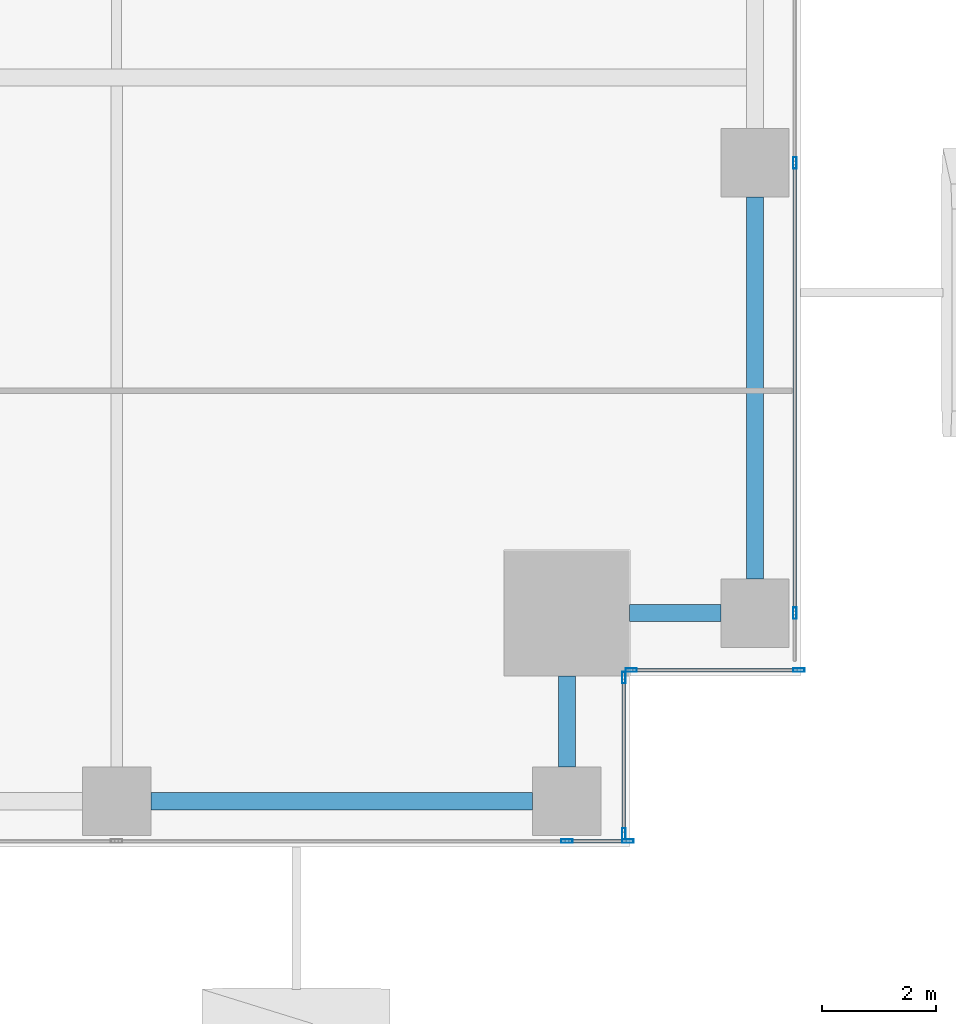
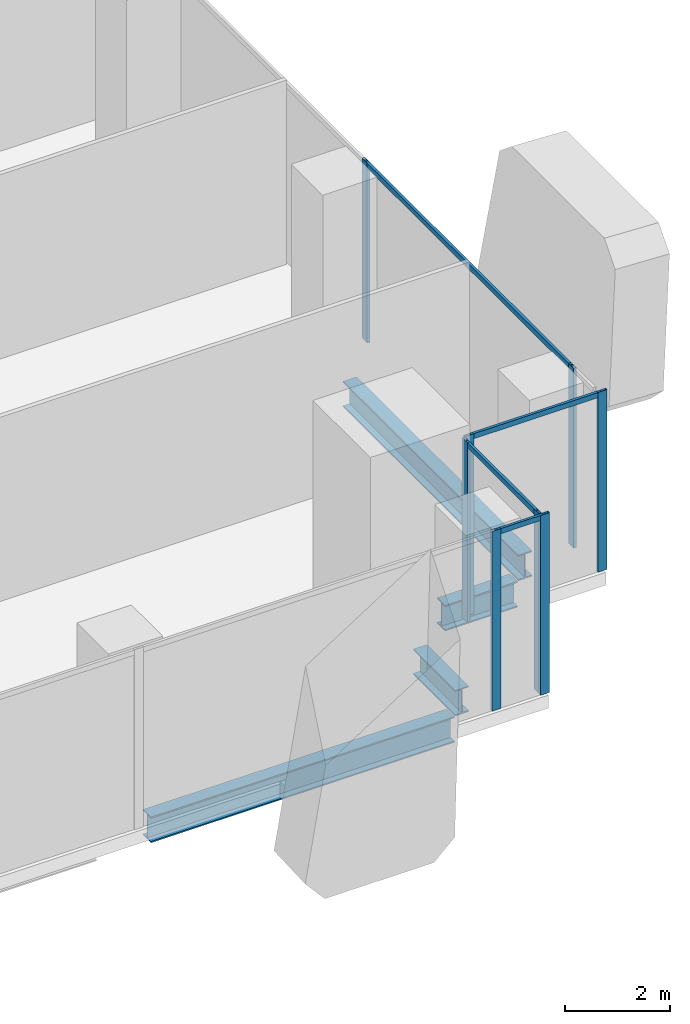
# One storey, part 9 of 35: 12 members, 4 beams, 4 elements without a shape of their own.
"""IFC4 building model written with IfcOpenShell, lengths in metres."""

from ifc_helpers import new_model, si_unit, direction, frame, origin, origin_2d, place, context, subcontext, project, spatial, hollow_rectangle, i_section, extrude, source, transform, mapped, material, material_profile, profile_set, type_object, element, aggregate, save


model = new_model("IFC4")

# Units and contexts
model_context = context("Model", 3, precision=1e-05, world=origin(), true_north=direction((0.0, 1.0)))
body_context = subcontext(model_context, "Body", "Model", "MODEL_VIEW")
ifc_project = project(units=[si_unit("LENGTHUNIT", "METRE"), si_unit("AREAUNIT", "SQUARE_METRE"), si_unit("VOLUMEUNIT", "CUBIC_METRE"), si_unit("PLANEANGLEUNIT", "RADIAN"), si_unit("MASSUNIT", "GRAM", prefix="KILO")], contexts=[model_context])

# Site, building, storey
site_placement = place(None, origin())
site = spatial("IfcSite", under=ifc_project, at=site_placement, CompositionType="ELEMENT")
building_placement = place(site_placement, origin())
building = spatial("IfcBuilding", under=site, at=building_placement, Name="Khomas Fold Tower", CompositionType="ELEMENT")
storey_placement = place(building_placement, frame((0.0, 0.0, 69.0)))
storey = spatial("IfcBuildingStorey", under=building, at=storey_placement, Name="L14", CompositionType="ELEMENT", Elevation=69.0)

# Beams
ifc_material_1 = material(Name="Steel S355", Category="steel")
ifc_material_profile_1 = material_profile(ifc_material_1, i_section(OverallWidth=0.300048828125, OverallDepth=0.60009765625, WebThickness=0.015380859375, FlangeThickness=0.030029296875, at=origin_2d()), Name="HE 600 B")
ifc_profile_set_1 = profile_set([ifc_material_profile_1], Name="Steel S355")
beam_type = type_object("IfcBeamType", Name="HE 600 B spandrel SB1", PredefinedType="SPANDREL", material=ifc_profile_set_1)
shared_shape_1 = source(origin(), body_context, "Body", "SweptSolid", [
    extrude(i_section(OverallWidth=0.300048828125, OverallDepth=0.60009765625, WebThickness=0.015380859375, FlangeThickness=0.030029296875, at=origin_2d()), origin(), (0.0, 0.0, 1.0), 6.699951171875),
])
for number, where, z_axis, x_axis, name in (
    (1, (42.60009765625, 0.800048828125, -0.60009765625), (1.0, 0.0, 0.0), (0.0, 1.0, 0.0), "SB1"),
    (2, (53.199951171875, 4.699951171875, -0.60009765625), (0.0, 1.0, 0.0), (-1.0, 0.0, 0.0), "SB1"),
):
    element("IfcBeam", number, at=place(storey_placement, frame(where, z_axis=z_axis, x_axis=x_axis)), inside=storey, type_object=beam_type, Name=name, PredefinedType="SPANDREL", context=body_context, shape_type="MappedRepresentation", body=[
        mapped(shared_shape_1, transform((0.0, 0.0, 0.0))),
    ])
shared_shape_2 = source(origin(), body_context, "Body", "SweptSolid", [
    extrude(i_section(OverallWidth=0.300048828125, OverallDepth=0.60009765625, WebThickness=0.015380859375, FlangeThickness=0.030029296875, at=origin_2d()), origin(), (0.0, 0.0, 1.0), 1.60009765625),
])
for number, where, z_axis, x_axis, name in (
    (3, (49.89990234375, 1.39990234375, -0.60009765625), (0.0, 1.0, 0.0), (-1.0, 0.0, 0.0), "SB1"),
    (4, (51.0, 4.10009765625, -0.60009765625), (1.0, 0.0, 0.0), (0.0, 1.0, 0.0), "SB1"),
):
    element("IfcBeam", number, at=place(storey_placement, frame(where, z_axis=z_axis, x_axis=x_axis)), inside=storey, type_object=beam_type, Name=name, PredefinedType="SPANDREL", context=body_context, shape_type="MappedRepresentation", body=[
        mapped(shared_shape_2, transform((0.0, 0.0, 0.0))),
    ])

# Curtain wall, member
ifc_material_2 = material(Name="Aluminium framed double glazing", Category="aluminium")
curtain_wall_type = type_object("IfcCurtainWallType", Name="SK-Unitised clear-glass wall, growing floors CW1", PredefinedType="NOTDEFINED", material=ifc_material_2)
curtain_wall_1_placement = place(storey_placement, origin())
curtain_wall_1 = element("IfcCurtainWall", 5, at=curtain_wall_1_placement, inside=storey, type_object=curtain_wall_type, Name="CW1 run L14 03-0", PredefinedType="NOTDEFINED")
ifc_material_3 = material(Name="Aluminium", Category="aluminium")
ifc_material_profile_2 = material_profile(ifc_material_3, hollow_rectangle(XDim=0.06005859375, YDim=0.1201171875, WallThickness=0.00390625, at=origin_2d()), Name="SK-Unitised clear-glass wall, growing floors transom CW1-T")
ifc_profile_set_2 = profile_set([ifc_material_profile_2], Name="Aluminium")
member_type_1 = type_object("IfcMemberType", Name="SK-Unitised clear-glass wall, growing floors transom CW1-T", PredefinedType="USERDEFINED", material=ifc_profile_set_2)
shared_shape_3 = source(origin(), body_context, "Body", "SweptSolid", [
    extrude(hollow_rectangle(XDim=0.06005859375, YDim=0.1201171875, WallThickness=0.00390625, at=origin_2d()), origin(), (0.0, 0.0, 1.0), 7.840087890625),
])
member_1_placement = place(storey_placement, frame((53.89990234375, 4.1298828125, 4.139892578125), z_axis=(0.0, 1.0, 0.0), x_axis=(-1.0, 0.0, 0.0)))
member_1 = element("IfcMember", 6, at=member_1_placement, type_object=member_type_1, Name="CW1 transom 2", ObjectType="TRANSOM", PredefinedType="USERDEFINED", context=body_context, shape_type="MappedRepresentation", body=[
    mapped(shared_shape_3, transform((0.0, 0.0, 0.0))),
])

curtain_wall_2_placement = place(storey_placement, origin())
curtain_wall_2 = element("IfcCurtainWall", 7, at=curtain_wall_2_placement, inside=storey, type_object=curtain_wall_type, Name="CW1 run L14 00-0", PredefinedType="NOTDEFINED")
shared_shape_4 = source(origin(), body_context, "Body", "SweptSolid", [
    extrude(hollow_rectangle(XDim=0.06005859375, YDim=0.1201171875, WallThickness=0.00390625, at=origin_2d()), origin(), (0.0, 0.0, 1.0), 1.010009765625),
])
member_2_placement = place(storey_placement, frame((49.929931640625, 0.10009765625, 4.139892578125), z_axis=(1.0, 0.0, 0.0), x_axis=(0.0, 1.0, 0.0)))
member_2 = element("IfcMember", 8, at=member_2_placement, type_object=member_type_1, Name="CW1 transom 8", ObjectType="TRANSOM", PredefinedType="USERDEFINED", context=body_context, shape_type="MappedRepresentation", body=[
    mapped(shared_shape_4, transform((0.0, 0.0, 0.0))),
])

curtain_wall_3_placement = place(storey_placement, origin())
curtain_wall_3 = element("IfcCurtainWall", 9, at=curtain_wall_3_placement, inside=storey, type_object=curtain_wall_type, Name="CW1 corner return L14 01", PredefinedType="NOTDEFINED")
shared_shape_5 = source(origin(), body_context, "Body", "SweptSolid", [
    extrude(hollow_rectangle(XDim=0.06005859375, YDim=0.1201171875, WallThickness=0.00390625, at=origin_2d()), origin(), (0.0, 0.0, 1.0), 2.679931640625),
])
member_3_placement = place(storey_placement, frame((50.89990234375, 0.260009765625, 4.139892578125), z_axis=(0.0, 1.0, 0.0), x_axis=(-1.0, 0.0, 0.0)))
member_3 = element("IfcMember", 10, at=member_3_placement, type_object=member_type_1, Name="CW1 transom 1", ObjectType="TRANSOM", PredefinedType="USERDEFINED", context=body_context, shape_type="MappedRepresentation", body=[
    mapped(shared_shape_5, transform((0.0, 0.0, 0.0))),
])

curtain_wall_4_placement = place(storey_placement, origin())
curtain_wall_4 = element("IfcCurtainWall", 11, at=curtain_wall_4_placement, inside=storey, type_object=curtain_wall_type, Name="CW1 corner return L14 02", PredefinedType="NOTDEFINED")
shared_shape_6 = source(origin(), body_context, "Body", "SweptSolid", [
    extrude(hollow_rectangle(XDim=0.06005859375, YDim=0.1201171875, WallThickness=0.00390625, at=origin_2d()), origin(), (0.0, 0.0, 1.0), 2.8798828125),
])
member_4_placement = place(storey_placement, frame((51.06005859375, 3.10009765625, 4.139892578125), z_axis=(1.0, 0.0, 0.0), x_axis=(0.0, 1.0, 0.0)))
member_4 = element("IfcMember", 12, at=member_4_placement, type_object=member_type_1, Name="CW1 transom 1", ObjectType="TRANSOM", PredefinedType="USERDEFINED", context=body_context, shape_type="MappedRepresentation", body=[
    mapped(shared_shape_6, transform((0.0, 0.0, 0.0))),
])

# Member
ifc_material_4 = material(Name="Aluminium", Category="aluminium")
ifc_material_profile_3 = material_profile(ifc_material_4, hollow_rectangle(XDim=0.06005859375, YDim=0.199951171875, WallThickness=0.00390625, at=origin_2d()), Name="SK-Unitised clear-glass wall, growing floors mullion CW1-M")
ifc_profile_set_3 = profile_set([ifc_material_profile_3], Name="Aluminium")
member_type_2 = type_object("IfcMemberType", Name="SK-Unitised clear-glass wall, growing floors mullion CW1-M", PredefinedType="MULLION", material=ifc_profile_set_3)
shared_shape_7 = source(origin(), body_context, "Body", "SweptSolid", [
    extrude(hollow_rectangle(XDim=0.06005859375, YDim=0.199951171875, WallThickness=0.00390625, at=origin_2d()), origin(), (0.0, 0.0, 1.0), 4.199951171875),
])
member_5_placement = place(storey_placement, frame((49.89990234375, 0.10009765625, 0.0), z_axis=(0.0, 0.0, 1.0), x_axis=(0.0, 1.0, 0.0)))
member_5 = element("IfcMember", 13, at=member_5_placement, type_object=member_type_2, Name="CW1 mullion 8", PredefinedType="MULLION", context=body_context, shape_type="MappedRepresentation", body=[
    mapped(shared_shape_7, transform((0.0, 0.0, 0.0))),
])

member_6_placement = place(storey_placement, frame((50.969970703125, 0.10009765625, 0.0), z_axis=(0.0, 0.0, 1.0), x_axis=(0.0, 1.0, 0.0)))
member_6 = element("IfcMember", 14, at=member_6_placement, type_object=member_type_2, Name="CW1 mullion 9", PredefinedType="MULLION", context=body_context, shape_type="MappedRepresentation", body=[
    mapped(shared_shape_7, transform((0.0, 0.0, 0.0))),
])

aggregate(curtain_wall_2, [member_5, member_6, member_2])

member_7_placement = place(storey_placement, frame((50.89990234375, 0.22998046875, 0.0), z_axis=(0.0, 0.0, 1.0), x_axis=(-1.0, 0.0, 0.0)))
member_7 = element("IfcMember", 15, at=member_7_placement, type_object=member_type_2, Name="CW1 mullion 1", PredefinedType="MULLION", context=body_context, shape_type="MappedRepresentation", body=[
    mapped(shared_shape_7, transform((0.0, 0.0, 0.0))),
])

member_8_placement = place(storey_placement, frame((50.89990234375, 2.969970703125, 0.0), z_axis=(0.0, 0.0, 1.0), x_axis=(-1.0, 0.0, 0.0)))
member_8 = element("IfcMember", 16, at=member_8_placement, type_object=member_type_2, Name="CW1 mullion 2", PredefinedType="MULLION", context=body_context, shape_type="MappedRepresentation", body=[
    mapped(shared_shape_7, transform((0.0, 0.0, 0.0))),
])

aggregate(curtain_wall_3, [member_7, member_8, member_3])

member_9_placement = place(storey_placement, frame((51.030029296875, 3.10009765625, 0.0), z_axis=(0.0, 0.0, 1.0), x_axis=(0.0, 1.0, 0.0)))
member_9 = element("IfcMember", 17, at=member_9_placement, type_object=member_type_2, Name="CW1 mullion 1", PredefinedType="MULLION", context=body_context, shape_type="MappedRepresentation", body=[
    mapped(shared_shape_7, transform((0.0, 0.0, 0.0))),
])

member_10_placement = place(storey_placement, frame((53.969970703125, 3.10009765625, 0.0), z_axis=(0.0, 0.0, 1.0), x_axis=(0.0, 1.0, 0.0)))
member_10 = element("IfcMember", 18, at=member_10_placement, type_object=member_type_2, Name="CW1 mullion 2", PredefinedType="MULLION", context=body_context, shape_type="MappedRepresentation", body=[
    mapped(shared_shape_7, transform((0.0, 0.0, 0.0))),
])

aggregate(curtain_wall_4, [member_9, member_10, member_4])

member_11_placement = place(storey_placement, frame((53.89990234375, 4.10009765625, 0.0), z_axis=(0.0, 0.0, 1.0), x_axis=(-1.0, 0.0, 0.0)))
member_11 = element("IfcMember", 19, at=member_11_placement, type_object=member_type_2, Name="CW1 mullion 2", PredefinedType="MULLION", context=body_context, shape_type="MappedRepresentation", body=[
    mapped(shared_shape_7, transform((0.0, 0.0, 0.0))),
])

member_12_placement = place(storey_placement, frame((53.89990234375, 12.0, 0.0), z_axis=(0.0, 0.0, 1.0), x_axis=(-1.0, 0.0, 0.0)))
member_12 = element("IfcMember", 20, at=member_12_placement, type_object=member_type_2, Name="CW1 mullion 3", PredefinedType="MULLION", context=body_context, shape_type="MappedRepresentation", body=[
    mapped(shared_shape_7, transform((0.0, 0.0, 0.0))),
])

aggregate(curtain_wall_1, [member_11, member_12, member_1])

save(model, "model.ifc")
